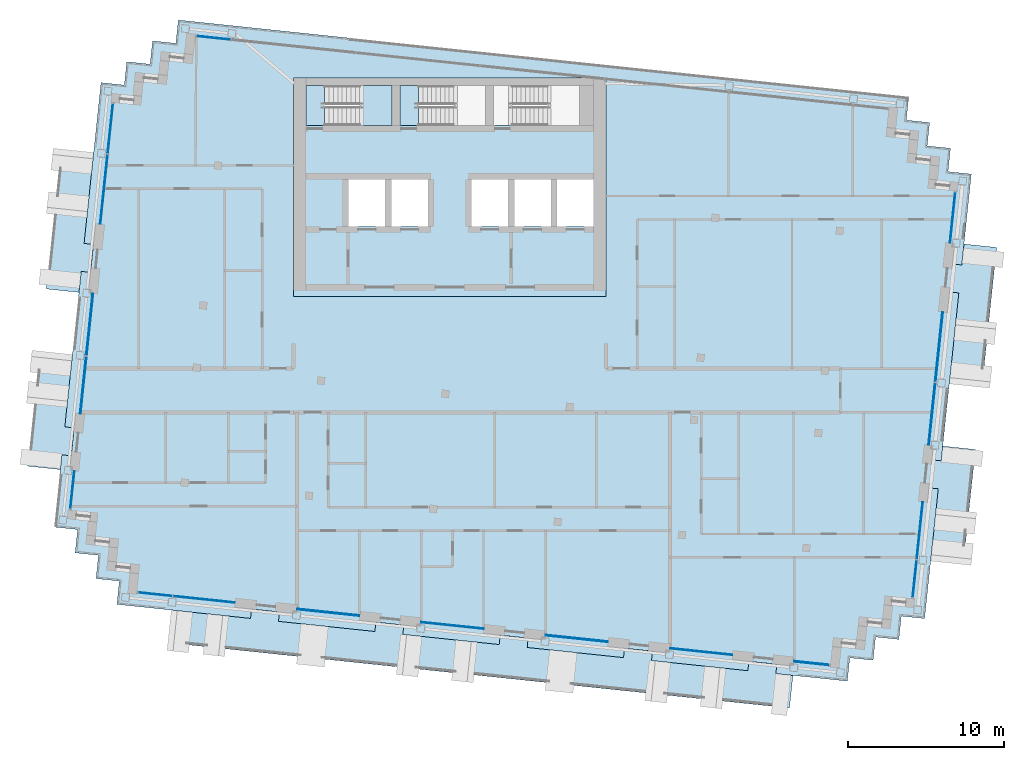
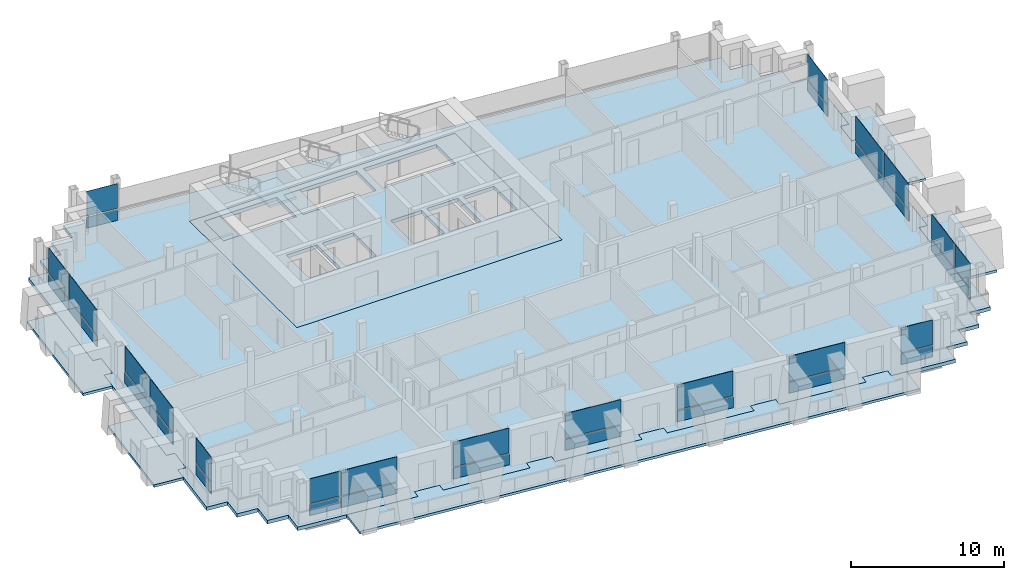
# One storey, part 7 of 16: 36 plates, 10 slabs, 14 elements without a shape of their own.
"""IFC4 building model written with IfcOpenShell, lengths in metres."""

from ifc_helpers import new_model, si_unit, direction, frame, origin, origin_2d, place, context, subcontext, project, spatial, polyline, rectangle, outline, extrude, material, layer, layer_set, type_object, element, aggregate, save


model = new_model("IFC4")

# Units and contexts
model_context = context("Model", 3, precision=1e-05, world=origin(), true_north=direction((0.0, 1.0)))
body_context = subcontext(model_context, "Body", "Model", "MODEL_VIEW")
ifc_project = project(units=[si_unit("LENGTHUNIT", "METRE"), si_unit("AREAUNIT", "SQUARE_METRE"), si_unit("VOLUMEUNIT", "CUBIC_METRE"), si_unit("PLANEANGLEUNIT", "RADIAN"), si_unit("MASSUNIT", "GRAM", prefix="KILO")], contexts=[model_context])

# Site, building, storey
site_placement = place(None, origin())
site = spatial("IfcSite", under=ifc_project, at=site_placement, CompositionType="ELEMENT")
building_placement = place(site_placement, origin())
building = spatial("IfcBuilding", under=site, at=building_placement, Name="Vidyagriha Tower", CompositionType="ELEMENT")
storey_placement = place(building_placement, frame((0.0, 0.0, 253.10009765625)))
storey = spatial("IfcBuildingStorey", under=building, at=storey_placement, Name="L65", CompositionType="ELEMENT", Elevation=253.10009765625)

# Curtain wall, plate
ifc_material_1 = material(Name="Aluminium and glass curtain wall", Category="aluminium")
curtain_wall_type = type_object("IfcCurtainWallType", Name="Dwelling skin unitised curtain wall", PredefinedType="USERDEFINED", material=ifc_material_1)
curtain_wall_1_placement = place(storey_placement, origin())
curtain_wall_1 = element("IfcCurtainWall", 1, at=curtain_wall_1_placement, inside=storey, type_object=curtain_wall_type, Name="CW1 dwelling skin", ObjectType="UNITISED", PredefinedType="USERDEFINED")
ifc_material_2 = material(Name="Glass dark ceramic-fritted spandrel", Category="glass")
ifc_layer_1 = layer(ifc_material_2, 0.0400390625)
ifc_layer_set_1 = layer_set([ifc_layer_1], Name="Glass dark ceramic-fritted spandrel")
plate_type_1 = type_object("IfcPlateType", Name="Ceramic-fritted spandrel panel", PredefinedType="CURTAIN_PANEL", material=ifc_layer_set_1)
plate_1_placement = place(storey_placement, frame((-15.11083984375, 22.56396484375, -0.000244140625), z_axis=(0.0, 0.0, 1.0), x_axis=(-0.994521854435, 0.104528852722, 0.0)))
plate_1 = element("IfcPlate", 2, at=plate_1_placement, type_object=plate_type_1, Name="CW1 panel 7.1", PredefinedType="CURTAIN_PANEL", context=body_context, shape_type="SweptSolid", body=[
    extrude(rectangle(XDim=2.195068359375, YDim=0.0400390625, at=origin_2d()), origin(), (0.0, 0.0, 1.0), 0.85009765625),
])

# Curtain wall, plates
curtain_wall_2_placement = place(storey_placement, origin())
curtain_wall_2 = element("IfcCurtainWall", 3, at=curtain_wall_2_placement, inside=storey, type_object=curtain_wall_type, Name="CW1 dwelling skin", ObjectType="UNITISED", PredefinedType="USERDEFINED")
plate_2_placement = place(storey_placement, frame((-21.7216796875, 16.755615234375, -0.000244140625), z_axis=(0.0, 0.0, 1.0), x_axis=(-0.104525282489, -0.994522229676, 0.0)))
plate_2 = element("IfcPlate", 4, at=plate_2_placement, type_object=plate_type_1, Name="CW1 panel 1.1", PredefinedType="CURTAIN_PANEL", context=body_context, shape_type="SweptSolid", body=[
    extrude(rectangle(XDim=3.195068359375, YDim=0.0400390625, at=origin_2d()), origin(), (0.0, 0.0, 1.0), 0.85009765625),
])
plate_3_placement = place(storey_placement, frame((-22.12939453125, 12.876953125, -0.000244140625), z_axis=(0.0, 0.0, 1.0), x_axis=(-0.104525282489, -0.994522229676, 0.0)))
plate_3 = element("IfcPlate", 5, at=plate_3_placement, type_object=plate_type_1, Name="CW1 panel 2.1", PredefinedType="CURTAIN_PANEL", context=body_context, shape_type="SweptSolid", body=[
    extrude(rectangle(XDim=4.465087890625, YDim=0.0400390625, at=origin_2d()), origin(), (0.0, 0.0, 1.0), 0.85009765625),
])

# Curtain wall, plate
curtain_wall_3_placement = place(storey_placement, origin())
curtain_wall_3 = element("IfcCurtainWall", 6, at=curtain_wall_3_placement, inside=storey, type_object=curtain_wall_type, Name="CW1 dwelling skin", ObjectType="UNITISED", PredefinedType="USERDEFINED")
plate_4_placement = place(storey_placement, frame((-24.151611328125, -6.364501953125, -0.000244140625), z_axis=(0.0, 0.0, 1.0), x_axis=(-0.10451613172, -0.994523191389, 0.0)))
plate_4 = element("IfcPlate", 7, at=plate_4_placement, type_object=plate_type_1, Name="CW1 panel 1.1", PredefinedType="CURTAIN_PANEL", context=body_context, shape_type="SweptSolid", body=[
    extrude(rectangle(XDim=2.43017578125, YDim=0.0400390625, at=origin_2d()), origin(), (0.0, 0.0, 1.0), 0.85009765625),
])

# Curtain wall, plates
curtain_wall_4_placement = place(storey_placement, origin())
curtain_wall_4 = element("IfcCurtainWall", 8, at=curtain_wall_4_placement, inside=storey, type_object=curtain_wall_type, Name="CW1 dwelling skin", ObjectType="UNITISED", PredefinedType="USERDEFINED")
plate_5_placement = place(storey_placement, frame((-18.852783203125, -13.0400390625, -0.000244140625), z_axis=(0.0, 0.0, 1.0), x_axis=(0.994522400055, -0.104523661385, 0.0)))
plate_5 = element("IfcPlate", 9, at=plate_5_placement, type_object=plate_type_1, Name="CW1 panel 1.1", PredefinedType="CURTAIN_PANEL", context=body_context, shape_type="SweptSolid", body=[
    extrude(rectangle(XDim=2.195068359375, YDim=0.0400390625, at=origin_2d()), origin(), (0.0, 0.0, 1.0), 0.85009765625),
])
plate_6_placement = place(storey_placement, frame((-15.72021484375, -13.369384765625, -0.000244140625), z_axis=(0.0, 0.0, 1.0), x_axis=(0.994522400055, -0.104523661385, 0.0)))
plate_6 = element("IfcPlate", 10, at=plate_6_placement, type_object=plate_type_1, Name="CW1 panel 2.1", PredefinedType="CURTAIN_PANEL", context=body_context, shape_type="SweptSolid", body=[
    extrude(rectangle(XDim=3.965087890625, YDim=0.0400390625, at=origin_2d()), origin(), (0.0, 0.0, 1.0), 0.85009765625),
])

# Curtain wall, plate
curtain_wall_5_placement = place(storey_placement, origin())
curtain_wall_5 = element("IfcCurtainWall", 11, at=curtain_wall_5_placement, inside=storey, type_object=curtain_wall_type, Name="CW1 dwelling skin", ObjectType="UNITISED", PredefinedType="USERDEFINED")
plate_7_placement = place(storey_placement, frame((0.1748046875, -15.039794921875, -0.000244140625), z_axis=(0.0, 0.0, 1.0), x_axis=(0.994522016164, -0.104527313963, 0.0)))
plate_7 = element("IfcPlate", 12, at=plate_7_placement, type_object=plate_type_1, Name="CW1 panel 1.1", PredefinedType="CURTAIN_PANEL", context=body_context, shape_type="SweptSolid", body=[
    extrude(rectangle(XDim=4.0, YDim=0.0400390625, at=origin_2d()), origin(), (0.0, 0.0, 1.0), 0.85009765625),
])

curtain_wall_6_placement = place(storey_placement, origin())
curtain_wall_6 = element("IfcCurtainWall", 13, at=curtain_wall_6_placement, inside=storey, type_object=curtain_wall_type, Name="CW1 dwelling skin", ObjectType="UNITISED", PredefinedType="USERDEFINED")
plate_8_placement = place(storey_placement, frame((16.087158203125, -16.71240234375, -0.000244140625), z_axis=(0.0, 0.0, 1.0), x_axis=(0.994522289309, -0.104524715101, 0.0)))
plate_8 = element("IfcPlate", 14, at=plate_8_placement, type_object=plate_type_1, Name="CW1 panel 1.1", PredefinedType="CURTAIN_PANEL", context=body_context, shape_type="SweptSolid", body=[
    extrude(rectangle(XDim=4.0, YDim=0.0400390625, at=origin_2d()), origin(), (0.0, 0.0, 1.0), 0.85009765625),
])

# Curtain wall, plates
curtain_wall_7_placement = place(storey_placement, origin())
curtain_wall_7 = element("IfcCurtainWall", 15, at=curtain_wall_7_placement, inside=storey, type_object=curtain_wall_type, Name="CW1 dwelling skin", ObjectType="UNITISED", PredefinedType="USERDEFINED")
plate_9_placement = place(storey_placement, frame((29.74951171875, -12.04736328125, -0.000244140625), z_axis=(0.0, 0.0, 1.0), x_axis=(0.10453281607, 0.994521437861, 0.0)))
plate_9 = element("IfcPlate", 16, at=plate_9_placement, type_object=plate_type_1, Name="CW1 panel 1.1", PredefinedType="CURTAIN_PANEL", context=body_context, shape_type="SweptSolid", body=[
    extrude(rectangle(XDim=2.39501953125, YDim=0.0400390625, at=origin_2d()), origin(), (0.0, 0.0, 1.0), 0.85009765625),
])
plate_10_placement = place(storey_placement, frame((30.073486328125, -8.96435546875, -0.000244140625), z_axis=(0.0, 0.0, 1.0), x_axis=(0.10453281607, 0.994521437861, 0.0)))
plate_10 = element("IfcPlate", 17, at=plate_10_placement, type_object=plate_type_1, Name="CW1 panel 2.1", PredefinedType="CURTAIN_PANEL", context=body_context, shape_type="SweptSolid", body=[
    extrude(rectangle(XDim=3.6650390625, YDim=0.0400390625, at=origin_2d()), origin(), (0.0, 0.0, 1.0), 0.85009765625),
])

# Curtain wall, plate
curtain_wall_8_placement = place(storey_placement, origin())
curtain_wall_8 = element("IfcCurtainWall", 18, at=curtain_wall_8_placement, inside=storey, type_object=curtain_wall_type, Name="CW1 dwelling skin", ObjectType="UNITISED", PredefinedType="USERDEFINED")
plate_11_placement = place(storey_placement, frame((32.1796875, 11.07275390625, -0.000244140625), z_axis=(0.0, 0.0, 1.0), x_axis=(0.10451599791, 0.994523205451, 0.0)))
plate_11 = element("IfcPlate", 19, at=plate_11_placement, type_object=plate_type_1, Name="CW1 panel 1.1", PredefinedType="CURTAIN_PANEL", context=body_context, shape_type="SweptSolid", body=[
    extrude(rectangle(XDim=3.22998046875, YDim=0.0400390625, at=origin_2d()), origin(), (0.0, 0.0, 1.0), 0.85009765625),
])

# Slab
ifc_material_3 = material(Name="Concrete C60/75", Category="concrete")
ifc_layer_2 = layer(ifc_material_3, 0.280029296875)
ifc_layer_set_2 = layer_set([ifc_layer_2], Name="Concrete C60/75")
slab_type_1 = type_object("IfcSlabType", Name="Core floor slab 280 mm", PredefinedType="FLOOR", material=ifc_layer_set_2)
slab_1_placement = place(storey_placement, frame((0.0, 0.0, -0.280029296875)))
element("IfcSlab", 20, at=slab_1_placement, inside=storey, type_object=slab_type_1, Name="L65 core floor 1", PredefinedType="FLOOR", context=body_context, shape_type="SweptSolid", body=[
    extrude(outline(polyline([(-10.0, 6.0), (-10.0, 20.0), (10.0, 20.0), (10.0, 6.0), (-10.0, 6.0)]), holes=[polyline([(6.86669921875, 13.5), (6.86669921875, 10.5), (9.199951171875, 10.5), (9.199951171875, 13.5), (6.86669921875, 13.5)]), polyline([(4.0, 19.5), (2.800048828125, 19.5), (2.800048828125, 16.949951171875), (4.0, 16.949951171875), (8.300048828125, 16.949951171875), (8.300048828125, 19.5), (4.0, 19.5)]), polyline([(6.466796875, 13.5), (4.13330078125, 13.5), (4.13330078125, 10.5), (6.466796875, 10.5), (6.466796875, 13.5)]), polyline([(3.7333984375, 13.5), (1.39990234375, 13.5), (1.39990234375, 10.5), (3.7333984375, 10.5), (3.7333984375, 13.5)]), polyline([(-2.0, 16.949951171875), (2.300048828125, 16.949951171875), (2.300048828125, 19.5), (-2.0, 19.5), (-3.199951171875, 19.5), (-3.199951171875, 16.949951171875), (-2.0, 16.949951171875)]), polyline([(-3.7333984375, 13.5), (-3.7333984375, 10.5), (-1.39990234375, 10.5), (-1.39990234375, 13.5), (-3.7333984375, 13.5)]), polyline([(-9.199951171875, 19.5), (-9.199951171875, 16.949951171875), (-8.0, 16.949951171875), (-3.699951171875, 16.949951171875), (-3.699951171875, 19.5), (-8.0, 19.5), (-9.199951171875, 19.5)]), polyline([(-6.466796875, 13.5), (-6.466796875, 10.5), (-4.13330078125, 10.5), (-4.13330078125, 13.5), (-6.466796875, 13.5)])]), origin(), (0.0, 0.0, 1.0), 0.280029296875),
])

# Plate
ifc_material_4 = material(Name="Glass dark ceramic-fritted", Category="glass")
ifc_layer_3 = layer(ifc_material_4, 0.028076171875)
ifc_layer_set_3 = layer_set([ifc_layer_3], Name="Glass dark ceramic-fritted")
plate_type_2 = type_object("IfcPlateType", Name="Dark ceramic-fritted vision glass panel", PredefinedType="CURTAIN_PANEL", material=ifc_layer_set_3)
plate_12_placement = place(storey_placement, frame((-15.11083984375, 22.56396484375, 0.94970703125), z_axis=(0.0, 0.0, 1.0), x_axis=(-0.994521854435, 0.104528852722, 0.0)))
plate_12 = element("IfcPlate", 21, at=plate_12_placement, type_object=plate_type_2, Name="CW1 panel 7.2", PredefinedType="CURTAIN_PANEL", context=body_context, shape_type="SweptSolid", body=[
    extrude(rectangle(XDim=2.195068359375, YDim=0.028076171875, at=origin_2d()), origin(), (0.0, 0.0, 1.0), 1.969970703125),
])

aggregate(curtain_wall_1, [plate_1, plate_12])

plate_13_placement = place(storey_placement, frame((-21.7216796875, 16.755615234375, 0.94970703125), z_axis=(0.0, 0.0, 1.0), x_axis=(-0.104525282489, -0.994522229676, 0.0)))
plate_13 = element("IfcPlate", 22, at=plate_13_placement, type_object=plate_type_2, Name="CW1 panel 1.2", PredefinedType="CURTAIN_PANEL", context=body_context, shape_type="SweptSolid", body=[
    extrude(rectangle(XDim=3.195068359375, YDim=0.028076171875, at=origin_2d()), origin(), (0.0, 0.0, 1.0), 1.969970703125),
])

plate_14_placement = place(storey_placement, frame((-22.12939453125, 12.876953125, 0.94970703125), z_axis=(0.0, 0.0, 1.0), x_axis=(-0.104525282489, -0.994522229676, 0.0)))
plate_14 = element("IfcPlate", 23, at=plate_14_placement, type_object=plate_type_2, Name="CW1 panel 2.2", PredefinedType="CURTAIN_PANEL", context=body_context, shape_type="SweptSolid", body=[
    extrude(rectangle(XDim=4.465087890625, YDim=0.028076171875, at=origin_2d()), origin(), (0.0, 0.0, 1.0), 1.969970703125),
])

aggregate(curtain_wall_2, [plate_2, plate_13, plate_3, plate_14])

# Curtain wall, plates
curtain_wall_9_placement = place(storey_placement, origin())
curtain_wall_9 = element("IfcCurtainWall", 24, at=curtain_wall_9_placement, inside=storey, type_object=curtain_wall_type, Name="CW1 dwelling skin", ObjectType="UNITISED", PredefinedType="USERDEFINED")
plate_15_placement = place(storey_placement, frame((-23.040283203125, 4.209716796875, 0.94970703125), z_axis=(0.0, 0.0, 1.0), x_axis=(-0.10453267483, -0.994521452706, 0.0)))
plate_15 = element("IfcPlate", 25, at=plate_15_placement, type_object=plate_type_2, Name="CW1 panel 1.2", PredefinedType="CURTAIN_PANEL", context=body_context, shape_type="SweptSolid", body=[
    extrude(rectangle(XDim=3.965087890625, YDim=0.028076171875, at=origin_2d()), origin(), (0.0, 0.0, 1.0), 1.969970703125),
])
plate_16_placement = place(storey_placement, frame((-23.4462890625, 0.345947265625, 0.94970703125), z_axis=(0.0, 0.0, 1.0), x_axis=(-0.10453267483, -0.994521452706, 0.0)))
plate_16 = element("IfcPlate", 26, at=plate_16_placement, type_object=plate_type_2, Name="CW1 panel 2.2", PredefinedType="CURTAIN_PANEL", context=body_context, shape_type="SweptSolid", body=[
    extrude(rectangle(XDim=3.6650390625, YDim=0.028076171875, at=origin_2d()), origin(), (0.0, 0.0, 1.0), 1.969970703125),
])

# Plate
plate_17_placement = place(storey_placement, frame((-24.151611328125, -6.364501953125, 0.94970703125), z_axis=(0.0, 0.0, 1.0), x_axis=(-0.10451613172, -0.994523191389, 0.0)))
plate_17 = element("IfcPlate", 27, at=plate_17_placement, type_object=plate_type_2, Name="CW1 panel 1.2", PredefinedType="CURTAIN_PANEL", context=body_context, shape_type="SweptSolid", body=[
    extrude(rectangle(XDim=2.43017578125, YDim=0.028076171875, at=origin_2d()), origin(), (0.0, 0.0, 1.0), 1.969970703125),
])

aggregate(curtain_wall_3, [plate_4, plate_17])

plate_18_placement = place(storey_placement, frame((-18.852783203125, -13.0400390625, 0.94970703125), z_axis=(0.0, 0.0, 1.0), x_axis=(0.994522400055, -0.104523661385, 0.0)))
plate_18 = element("IfcPlate", 28, at=plate_18_placement, type_object=plate_type_2, Name="CW1 panel 1.2", PredefinedType="CURTAIN_PANEL", context=body_context, shape_type="SweptSolid", body=[
    extrude(rectangle(XDim=2.195068359375, YDim=0.028076171875, at=origin_2d()), origin(), (0.0, 0.0, 1.0), 1.969970703125),
])

plate_19_placement = place(storey_placement, frame((-15.72021484375, -13.369384765625, 0.94970703125), z_axis=(0.0, 0.0, 1.0), x_axis=(0.994522400055, -0.104523661385, 0.0)))
plate_19 = element("IfcPlate", 29, at=plate_19_placement, type_object=plate_type_2, Name="CW1 panel 2.2", PredefinedType="CURTAIN_PANEL", context=body_context, shape_type="SweptSolid", body=[
    extrude(rectangle(XDim=3.965087890625, YDim=0.028076171875, at=origin_2d()), origin(), (0.0, 0.0, 1.0), 1.969970703125),
])

aggregate(curtain_wall_4, [plate_5, plate_18, plate_6, plate_19])

# Curtain wall, plate
curtain_wall_10_placement = place(storey_placement, origin())
curtain_wall_10 = element("IfcCurtainWall", 30, at=curtain_wall_10_placement, inside=storey, type_object=curtain_wall_type, Name="CW1 dwelling skin", ObjectType="UNITISED", PredefinedType="USERDEFINED")
plate_20_placement = place(storey_placement, frame((-7.78125, -14.20361328125, 0.94970703125), z_axis=(0.0, 0.0, 1.0), x_axis=(0.994519690211, -0.104549441808, 0.0)))
plate_20 = element("IfcPlate", 31, at=plate_20_placement, type_object=plate_type_2, Name="CW1 panel 1.2", PredefinedType="CURTAIN_PANEL", context=body_context, shape_type="SweptSolid", body=[
    extrude(rectangle(XDim=4.0, YDim=0.028076171875, at=origin_2d()), origin(), (0.0, 0.0, 1.0), 1.969970703125),
])

# Plate
plate_21_placement = place(storey_placement, frame((0.1748046875, -15.039794921875, 0.94970703125), z_axis=(0.0, 0.0, 1.0), x_axis=(0.994522016164, -0.104527313963, 0.0)))
plate_21 = element("IfcPlate", 32, at=plate_21_placement, type_object=plate_type_2, Name="CW1 panel 1.2", PredefinedType="CURTAIN_PANEL", context=body_context, shape_type="SweptSolid", body=[
    extrude(rectangle(XDim=4.0, YDim=0.028076171875, at=origin_2d()), origin(), (0.0, 0.0, 1.0), 1.969970703125),
])

aggregate(curtain_wall_5, [plate_7, plate_21])

# Curtain wall, plate
curtain_wall_11_placement = place(storey_placement, origin())
curtain_wall_11 = element("IfcCurtainWall", 33, at=curtain_wall_11_placement, inside=storey, type_object=curtain_wall_type, Name="CW1 dwelling skin", ObjectType="UNITISED", PredefinedType="USERDEFINED")
plate_22_placement = place(storey_placement, frame((8.131103515625, -15.876220703125, 0.94970703125), z_axis=(0.0, 0.0, 1.0), x_axis=(0.994522289309, -0.104524715101, 0.0)))
plate_22 = element("IfcPlate", 34, at=plate_22_placement, type_object=plate_type_2, Name="CW1 panel 1.2", PredefinedType="CURTAIN_PANEL", context=body_context, shape_type="SweptSolid", body=[
    extrude(rectangle(XDim=4.0, YDim=0.028076171875, at=origin_2d()), origin(), (0.0, 0.0, 1.0), 1.969970703125),
])

# Plate
plate_23_placement = place(storey_placement, frame((16.087158203125, -16.71240234375, 0.94970703125), z_axis=(0.0, 0.0, 1.0), x_axis=(0.994522289309, -0.104524715101, 0.0)))
plate_23 = element("IfcPlate", 35, at=plate_23_placement, type_object=plate_type_2, Name="CW1 panel 1.2", PredefinedType="CURTAIN_PANEL", context=body_context, shape_type="SweptSolid", body=[
    extrude(rectangle(XDim=4.0, YDim=0.028076171875, at=origin_2d()), origin(), (0.0, 0.0, 1.0), 1.969970703125),
])

aggregate(curtain_wall_6, [plate_8, plate_23])

# Curtain wall, plate
curtain_wall_12_placement = place(storey_placement, origin())
curtain_wall_12 = element("IfcCurtainWall", 36, at=curtain_wall_12_placement, inside=storey, type_object=curtain_wall_type, Name="CW1 dwelling skin", ObjectType="UNITISED", PredefinedType="USERDEFINED")
plate_24_placement = place(storey_placement, frame((23.1630859375, -17.4560546875, 0.94970703125), z_axis=(0.0, 0.0, 1.0), x_axis=(0.994522592653, -0.10452182883, 0.0)))
plate_24 = element("IfcPlate", 37, at=plate_24_placement, type_object=plate_type_2, Name="CW1 panel 1.2", PredefinedType="CURTAIN_PANEL", context=body_context, shape_type="SweptSolid", body=[
    extrude(rectangle(XDim=2.22998046875, YDim=0.028076171875, at=origin_2d()), origin(), (0.0, 0.0, 1.0), 1.969970703125),
])

# Plate
plate_25_placement = place(storey_placement, frame((29.74951171875, -12.04736328125, 0.94970703125), z_axis=(0.0, 0.0, 1.0), x_axis=(0.10453281607, 0.994521437861, 0.0)))
plate_25 = element("IfcPlate", 38, at=plate_25_placement, type_object=plate_type_2, Name="CW1 panel 1.2", PredefinedType="CURTAIN_PANEL", context=body_context, shape_type="SweptSolid", body=[
    extrude(rectangle(XDim=2.39501953125, YDim=0.028076171875, at=origin_2d()), origin(), (0.0, 0.0, 1.0), 1.969970703125),
])

plate_26_placement = place(storey_placement, frame((30.073486328125, -8.96435546875, 0.94970703125), z_axis=(0.0, 0.0, 1.0), x_axis=(0.10453281607, 0.994521437861, 0.0)))
plate_26 = element("IfcPlate", 39, at=plate_26_placement, type_object=plate_type_2, Name="CW1 panel 2.2", PredefinedType="CURTAIN_PANEL", context=body_context, shape_type="SweptSolid", body=[
    extrude(rectangle(XDim=3.6650390625, YDim=0.028076171875, at=origin_2d()), origin(), (0.0, 0.0, 1.0), 1.969970703125),
])

aggregate(curtain_wall_7, [plate_9, plate_25, plate_10, plate_26])

# Curtain wall, plates
curtain_wall_13_placement = place(storey_placement, origin())
curtain_wall_13 = element("IfcCurtainWall", 40, at=curtain_wall_13_placement, inside=storey, type_object=curtain_wall_type, Name="CW1 dwelling skin", ObjectType="UNITISED", PredefinedType="USERDEFINED")
plate_27_placement = place(storey_placement, frame((30.859130859375, -1.490478515625, 0.94970703125), z_axis=(0.0, 0.0, 1.0), x_axis=(0.104529843047, 0.994521750347, 0.0)))
plate_27 = element("IfcPlate", 41, at=plate_27_placement, type_object=plate_type_2, Name="CW1 panel 1.2", PredefinedType="CURTAIN_PANEL", context=body_context, shape_type="SweptSolid", body=[
    extrude(rectangle(XDim=3.965087890625, YDim=0.028076171875, at=origin_2d()), origin(), (0.0, 0.0, 1.0), 1.969970703125),
])
plate_28_placement = place(storey_placement, frame((31.306884765625, 2.77099609375, 0.94970703125), z_axis=(0.0, 0.0, 1.0), x_axis=(0.104529843047, 0.994521750347, 0.0)))
plate_28 = element("IfcPlate", 42, at=plate_28_placement, type_object=plate_type_2, Name="CW1 panel 2.2", PredefinedType="CURTAIN_PANEL", context=body_context, shape_type="SweptSolid", body=[
    extrude(rectangle(XDim=4.465087890625, YDim=0.028076171875, at=origin_2d()), origin(), (0.0, 0.0, 1.0), 1.969970703125),
])

# Plate
plate_29_placement = place(storey_placement, frame((32.1796875, 11.07275390625, 0.94970703125), z_axis=(0.0, 0.0, 1.0), x_axis=(0.10451599791, 0.994523205451, 0.0)))
plate_29 = element("IfcPlate", 43, at=plate_29_placement, type_object=plate_type_2, Name="CW1 panel 1.2", PredefinedType="CURTAIN_PANEL", context=body_context, shape_type="SweptSolid", body=[
    extrude(rectangle(XDim=3.22998046875, YDim=0.028076171875, at=origin_2d()), origin(), (0.0, 0.0, 1.0), 1.969970703125),
])

aggregate(curtain_wall_8, [plate_11, plate_29])

# Slabs
ifc_material_5 = material(Name="Concrete C40/50", Category="concrete")
ifc_layer_4 = layer(ifc_material_5, 0.280029296875)
ifc_layer_set_4 = layer_set([ifc_layer_4], Name="Concrete C40/50")
slab_type_2 = type_object("IfcSlabType", Name="Exit stair floor landing 280 mm", PredefinedType="LANDING", material=ifc_layer_set_4)
slab_2_placement = place(storey_placement, frame((0.0, 0.0, -0.280029296875)))
element("IfcSlab", 44, at=slab_2_placement, inside=storey, type_object=slab_type_2, Name="ST1 floor landing L65", PredefinedType="LANDING", context=body_context, shape_type="SweptSolid", body=[
    extrude(outline(polyline([(-9.199951171875, 16.949951171875), (-8.0, 16.949951171875), (-8.0, 19.5), (-9.199951171875, 19.5), (-9.199951171875, 16.949951171875)])), origin(), (0.0, 0.0, 1.0), 0.280029296875),
])
slab_3_placement = place(storey_placement, frame((0.0, 0.0, -0.280029296875)))
element("IfcSlab", 45, at=slab_3_placement, inside=storey, type_object=slab_type_2, Name="ST2 floor landing L65", PredefinedType="LANDING", context=body_context, shape_type="SweptSolid", body=[
    extrude(outline(polyline([(-3.199951171875, 16.949951171875), (-2.0, 16.949951171875), (-2.0, 19.5), (-3.199951171875, 19.5), (-3.199951171875, 16.949951171875)])), origin(), (0.0, 0.0, 1.0), 0.280029296875),
])

# Stair, slab
ifc_material_6 = material(Name="Concrete C40/50", Category="concrete")
stair_type = type_object("IfcStairType", Name="Exit stair, half-turn, precast flights", PredefinedType="HALF_TURN_STAIR", material=ifc_material_6)
stair_placement = place(storey_placement, origin())
stair = element("IfcStair", 46, at=stair_placement, inside=storey, type_object=stair_type, Name="L65 Exit Stair ST1", PredefinedType="HALF_TURN_STAIR")
ifc_material_7 = material(Name="Concrete C40/50", Category="concrete")
ifc_layer_5 = layer(ifc_material_7, 0.199951171875)
ifc_layer_set_5 = layer_set([ifc_layer_5], Name="Concrete C40/50")
slab_type_3 = type_object("IfcSlabType", Name="Exit stair landing 200 mm", PredefinedType="LANDING", material=ifc_layer_set_5)
slab_4_placement = place(storey_placement, frame((0.0, 0.0, 1.39990234375)))
slab_4 = element("IfcSlab", 47, at=slab_4_placement, type_object=slab_type_3, Name="ST1 landing 1", PredefinedType="LANDING", context=body_context, shape_type="SweptSolid", body=[
    extrude(outline(polyline([(-5.760009765625, 16.949951171875), (-3.699951171875, 16.949951171875), (-3.699951171875, 19.5), (-5.760009765625, 19.5), (-5.760009765625, 16.949951171875)])), origin(), (0.0, 0.0, 1.0), 0.199951171875),
])
aggregate(stair, [slab_4])

# Plate
ifc_material_8 = material(Name="Aluminium black anodised", Category="aluminium")
ifc_layer_6 = layer(ifc_material_8, 0.06005859375)
ifc_layer_set_6 = layer_set([ifc_layer_6], Name="Aluminium black anodised")
plate_type_3 = type_object("IfcPlateType", Name="Operable black-metal vent panel", PredefinedType="CURTAIN_PANEL", material=ifc_layer_set_6)
plate_30_placement = place(storey_placement, frame((-23.040283203125, 4.209716796875, -0.000244140625), z_axis=(0.0, 0.0, 1.0), x_axis=(-0.10453267483, -0.994521452706, 0.0)))
plate_30 = element("IfcPlate", 48, at=plate_30_placement, type_object=plate_type_3, Name="CW1 panel 1.1", PredefinedType="CURTAIN_PANEL", context=body_context, shape_type="SweptSolid", body=[
    extrude(rectangle(XDim=3.965087890625, YDim=0.06005859375, at=origin_2d()), origin(), (0.0, 0.0, 1.0), 0.85009765625),
])

plate_31_placement = place(storey_placement, frame((-23.4462890625, 0.345947265625, -0.000244140625), z_axis=(0.0, 0.0, 1.0), x_axis=(-0.10453267483, -0.994521452706, 0.0)))
plate_31 = element("IfcPlate", 49, at=plate_31_placement, type_object=plate_type_3, Name="CW1 panel 2.1", PredefinedType="CURTAIN_PANEL", context=body_context, shape_type="SweptSolid", body=[
    extrude(rectangle(XDim=3.6650390625, YDim=0.06005859375, at=origin_2d()), origin(), (0.0, 0.0, 1.0), 0.85009765625),
])

aggregate(curtain_wall_9, [plate_30, plate_15, plate_31, plate_16])

plate_32_placement = place(storey_placement, frame((-7.78125, -14.20361328125, -0.000244140625), z_axis=(0.0, 0.0, 1.0), x_axis=(0.994519690211, -0.104549441808, 0.0)))
plate_32 = element("IfcPlate", 50, at=plate_32_placement, type_object=plate_type_3, Name="CW1 panel 1.1", PredefinedType="CURTAIN_PANEL", context=body_context, shape_type="SweptSolid", body=[
    extrude(rectangle(XDim=4.0, YDim=0.06005859375, at=origin_2d()), origin(), (0.0, 0.0, 1.0), 0.85009765625),
])

aggregate(curtain_wall_10, [plate_32, plate_20])

plate_33_placement = place(storey_placement, frame((8.131103515625, -15.876220703125, -0.000244140625), z_axis=(0.0, 0.0, 1.0), x_axis=(0.994522289309, -0.104524715101, 0.0)))
plate_33 = element("IfcPlate", 51, at=plate_33_placement, type_object=plate_type_3, Name="CW1 panel 1.1", PredefinedType="CURTAIN_PANEL", context=body_context, shape_type="SweptSolid", body=[
    extrude(rectangle(XDim=4.0, YDim=0.06005859375, at=origin_2d()), origin(), (0.0, 0.0, 1.0), 0.85009765625),
])

aggregate(curtain_wall_11, [plate_33, plate_22])

plate_34_placement = place(storey_placement, frame((23.1630859375, -17.4560546875, -0.000244140625), z_axis=(0.0, 0.0, 1.0), x_axis=(0.994522592653, -0.10452182883, 0.0)))
plate_34 = element("IfcPlate", 52, at=plate_34_placement, type_object=plate_type_3, Name="CW1 panel 1.1", PredefinedType="CURTAIN_PANEL", context=body_context, shape_type="SweptSolid", body=[
    extrude(rectangle(XDim=2.22998046875, YDim=0.06005859375, at=origin_2d()), origin(), (0.0, 0.0, 1.0), 0.85009765625),
])

aggregate(curtain_wall_12, [plate_34, plate_24])

plate_35_placement = place(storey_placement, frame((30.859130859375, -1.490478515625, -0.000244140625), z_axis=(0.0, 0.0, 1.0), x_axis=(0.104529843047, 0.994521750347, 0.0)))
plate_35 = element("IfcPlate", 53, at=plate_35_placement, type_object=plate_type_3, Name="CW1 panel 1.1", PredefinedType="CURTAIN_PANEL", context=body_context, shape_type="SweptSolid", body=[
    extrude(rectangle(XDim=3.965087890625, YDim=0.06005859375, at=origin_2d()), origin(), (0.0, 0.0, 1.0), 0.85009765625),
])

plate_36_placement = place(storey_placement, frame((31.306884765625, 2.77099609375, -0.000244140625), z_axis=(0.0, 0.0, 1.0), x_axis=(0.104529843047, 0.994521750347, 0.0)))
plate_36 = element("IfcPlate", 54, at=plate_36_placement, type_object=plate_type_3, Name="CW1 panel 2.1", PredefinedType="CURTAIN_PANEL", context=body_context, shape_type="SweptSolid", body=[
    extrude(rectangle(XDim=4.465087890625, YDim=0.06005859375, at=origin_2d()), origin(), (0.0, 0.0, 1.0), 0.85009765625),
])

aggregate(curtain_wall_13, [plate_35, plate_27, plate_36, plate_28])

# Slabs
ifc_material_9 = material(Name="Concrete C50/60", Category="concrete")
ifc_layer_7 = layer(ifc_material_9, 0.280029296875)
ifc_layer_set_7 = layer_set([ifc_layer_7], Name="Concrete C50/60")
slab_type_4 = type_object("IfcSlabType", Name="Post-tensioned flat plate 280", PredefinedType="FLOOR", material=ifc_layer_set_7)
slab_5_placement = place(storey_placement, frame((0.0, 0.0, -0.280029296875)))
element("IfcSlab", 55, at=slab_5_placement, inside=storey, type_object=slab_type_4, Name="st-slab-L65-1", PredefinedType="FLOOR", context=body_context, shape_type="SweptSolid", body=[
    extrude(outline(polyline([(28.738037109375, -15.930419921875), (27.246337890625, -15.773681640625), (27.089599609375, -17.265380859375), (25.597900390625, -17.108642578125), (25.44091796875, -18.600341796875), (20.8662109375, -18.11962890625), (20.928955078125, -17.52294921875), (19.138916015625, -17.334716796875), (19.076171875, -17.931396484375), (12.91015625, -17.283447265625), (12.972900390625, -16.686767578125), (11.1826171875, -16.49853515625), (11.119873046875, -17.09521484375), (4.953857421875, -16.447265625), (5.0166015625, -15.8505859375), (3.226318359375, -15.662353515625), (3.163818359375, -16.259033203125), (-3.002197265625, -15.61083984375), (-2.939453125, -15.014404296875), (-4.729736328125, -14.826171875), (-4.79248046875, -15.4228515625), (-10.95849609375, -14.774658203125), (-10.895751953125, -14.177978515625), (-12.685791015625, -13.98974609375), (-12.74853515625, -14.586669921875), (-21.301513671875, -13.6875), (-21.144775390625, -12.19580078125), (-22.636474609375, -12.0390625), (-22.479736328125, -10.547119140625), (-23.971435546875, -10.390380859375), (-23.814697265625, -8.898681640625), (-25.306396484375, -8.741943359375), (-24.8203125, -4.1171875), (-24.223876953125, -4.179931640625), (-24.03564453125, -2.389892578125), (-24.63232421875, -2.3271484375), (-23.5869140625, 7.617919921875), (-22.990234375, 7.555419921875), (-22.80224609375, 9.345458984375), (-23.39892578125, 9.408203125), (-22.31689453125, 19.701416015625), (-20.8251953125, 19.544677734375), (-20.66845703125, 21.036376953125), (-19.176513671875, 20.879638671875), (-19.019775390625, 22.371337890625), (-17.528076171875, 22.214599609375), (-17.371337890625, 23.706298828125), (29.371337890625, 18.793701171875), (29.214599609375, 17.3017578125), (30.706298828125, 17.14501953125), (30.549560546875, 15.6533203125), (32.041259765625, 15.496337890625), (31.884521484375, 14.004638671875), (33.376220703125, 13.847900390625), (32.7646484375, 8.02978515625), (32.16796875, 8.092529296875), (31.97998046875, 6.302490234375), (32.57666015625, 6.23974609375), (31.44775390625, -4.501220703125), (30.85107421875, -4.4384765625), (30.662841796875, -6.228515625), (31.259521484375, -6.291259765625), (30.38671875, -14.595458984375), (28.89501953125, -14.438720703125), (28.738037109375, -15.930419921875)]), holes=[polyline([(-10.0, 20.0), (-10.0, 6.0), (10.0, 6.0), (10.0, 20.0), (-10.0, 20.0)])]), origin(), (0.0, 0.0, 1.0), 0.280029296875),
])
ifc_material_10 = material(Name="Precast concrete C40/50", Category="concrete")
ifc_layer_8 = layer(ifc_material_10, 0.199951171875)
ifc_layer_set_8 = layer_set([ifc_layer_8], Name="Precast concrete C40/50")
slab_type_5 = type_object("IfcSlabType", Name="Precast balcony slab 200", PredefinedType="USERDEFINED", material=ifc_layer_set_8)
slab_6_placement = place(storey_placement, frame((0.0, 0.0, -0.2001953125)))
element("IfcSlab", 56, at=slab_6_placement, inside=storey, type_object=slab_type_5, Name="Balcony slab L65 R14.1-1", ObjectType="BALCONY", PredefinedType="USERDEFINED", context=body_context, shape_type="SweptSolid", body=[
    extrude(outline(polyline([(-22.990234375, 7.555419921875), (-22.80224609375, 9.345458984375), (-23.39892578125, 9.408203125), (-22.787353515625, 15.226318359375), (-24.8759765625, 15.44580078125), (-25.816650390625, 6.4951171875), (-23.728271484375, 6.275390625), (-23.587158203125, 7.617919921875), (-22.990234375, 7.555419921875)])), origin(), (0.0, 0.0, 1.0), 0.2001953125),
])
slab_7_placement = place(storey_placement, frame((0.0, 0.0, -0.2001953125)))
element("IfcSlab", 57, at=slab_7_placement, inside=storey, type_object=slab_type_5, Name="Balcony slab L65 R14.2-2", ObjectType="BALCONY", PredefinedType="USERDEFINED", context=body_context, shape_type="SweptSolid", body=[
    extrude(outline(polyline([(-24.223876953125, -4.179931640625), (-24.03564453125, -2.389892578125), (-24.63232421875, -2.3271484375), (-24.146240234375, 2.29736328125), (-26.23486328125, 2.516845703125), (-27.00830078125, -4.842529296875), (-24.919921875, -5.06201171875), (-24.820556640625, -4.1171875), (-24.223876953125, -4.179931640625)])), origin(), (0.0, 0.0, 1.0), 0.2001953125),
])
slab_8_placement = place(storey_placement, frame((0.0, 0.0, -0.2001953125)))
element("IfcSlab", 58, at=slab_8_placement, inside=storey, type_object=slab_type_5, Name="Balcony slab L65 R21.1-5", ObjectType="BALCONY", PredefinedType="USERDEFINED", context=body_context, shape_type="SweptSolid", body=[
    extrude(outline(polyline([(20.8662109375, -18.11962890625), (20.928955078125, -17.52294921875), (19.138916015625, -17.334716796875), (19.076171875, -17.931396484375), (12.91015625, -17.283447265625), (12.972900390625, -16.686767578125), (11.1826171875, -16.49853515625), (11.119873046875, -17.09521484375), (4.953857421875, -16.447265625), (5.0166015625, -15.8505859375), (3.226318359375, -15.662353515625), (3.163818359375, -16.259033203125), (-3.002197265625, -15.611083984375), (-2.939453125, -15.014404296875), (-4.729736328125, -14.826171875), (-4.79248046875, -15.4228515625), (-10.95849609375, -14.774658203125), (-10.895751953125, -14.177978515625), (-12.685791015625, -13.98974609375), (-12.74853515625, -14.586669921875), (-17.82080078125, -14.053466796875), (-18.040283203125, -16.14208984375), (21.74072265625, -20.322998046875), (21.960205078125, -18.234619140625), (20.8662109375, -18.11962890625)])), origin(), (0.0, 0.0, 1.0), 0.2001953125),
])
slab_9_placement = place(storey_placement, frame((0.0, 0.0, -0.2001953125)))
element("IfcSlab", 59, at=slab_9_placement, inside=storey, type_object=slab_type_5, Name="Balcony slab L65 R28.1-1", ObjectType="BALCONY", PredefinedType="USERDEFINED", context=body_context, shape_type="SweptSolid", body=[
    extrude(outline(polyline([(31.259521484375, -6.291259765625), (30.7734375, -10.915771484375), (32.862060546875, -11.13525390625), (33.635498046875, -3.77587890625), (31.547119140625, -3.556396484375), (31.44775390625, -4.501220703125), (30.85107421875, -4.4384765625), (30.662841796875, -6.228515625), (31.259521484375, -6.291259765625)])), origin(), (0.0, 0.0, 1.0), 0.2001953125),
])
slab_10_placement = place(storey_placement, frame((0.0, 0.0, -0.2001953125)))
element("IfcSlab", 60, at=slab_10_placement, inside=storey, type_object=slab_type_5, Name="Balcony slab L65 R28.2-2", ObjectType="BALCONY", PredefinedType="USERDEFINED", context=body_context, shape_type="SweptSolid", body=[
    extrude(outline(polyline([(32.57666015625, 6.23974609375), (31.965087890625, 0.421875), (34.0537109375, 0.202392578125), (34.994384765625, 9.153076171875), (32.906005859375, 9.37255859375), (32.764892578125, 8.02978515625), (32.16796875, 8.092529296875), (31.97998046875, 6.302490234375), (32.57666015625, 6.23974609375)])), origin(), (0.0, 0.0, 1.0), 0.2001953125),
])

save(model, "model.ifc")
